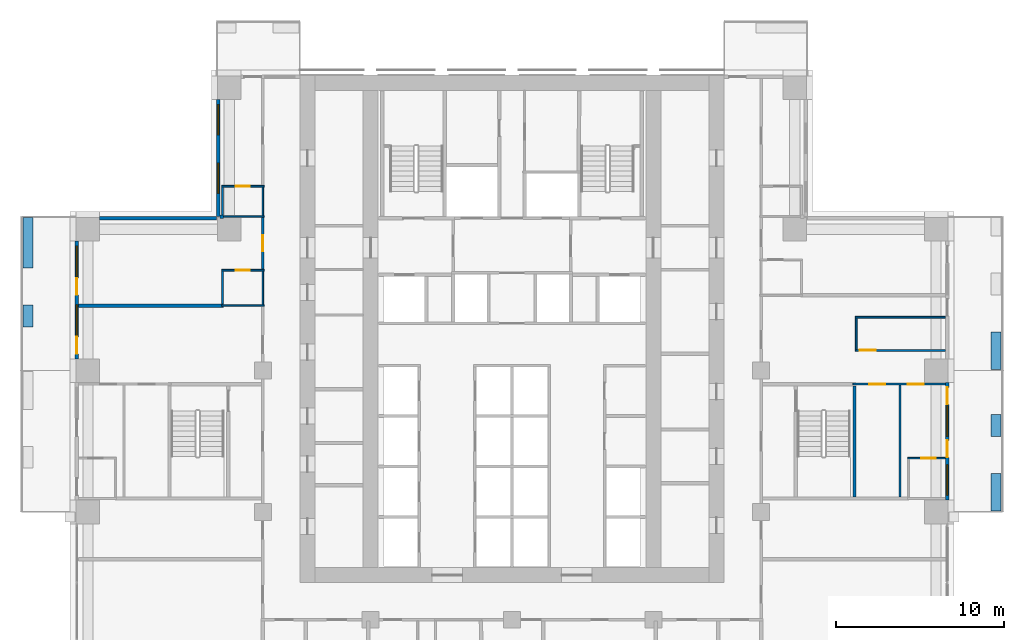
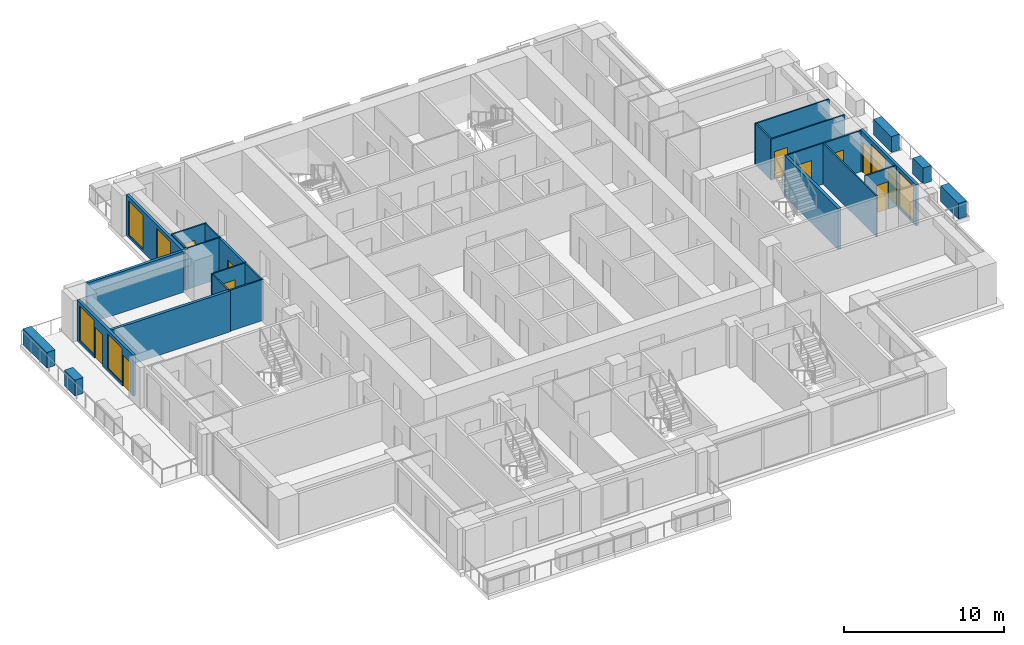
# One storey, part 10 of 17: 27 walls, 11 doors, 6 windows, 17 openings.
"""IFC4 building model written with IfcOpenShell, lengths in metres."""

from ifc_helpers import new_model, si_unit, direction, frame, frame_2d, origin, place, context, subcontext, project, spatial, rectangle, extrude, material, layer, layer_set, type_object, element, fill, save


model = new_model("IFC4")

# Units and contexts
model_context = context("Model", 3, precision=1e-05, world=origin(), true_north=direction((0.0, 1.0)))
body_context = subcontext(model_context, "Body", "Model", "MODEL_VIEW")
ifc_project = project(units=[si_unit("LENGTHUNIT", "METRE"), si_unit("AREAUNIT", "SQUARE_METRE"), si_unit("VOLUMEUNIT", "CUBIC_METRE"), si_unit("PLANEANGLEUNIT", "RADIAN"), si_unit("MASSUNIT", "GRAM", prefix="KILO")], contexts=[model_context])

# Site, building, storey
site_placement = place(None, origin())
site = spatial("IfcSite", under=ifc_project, at=site_placement, CompositionType="ELEMENT")
building_placement = place(site_placement, origin())
building = spatial("IfcBuilding", under=site, at=building_placement, Name="Vermilion Ogive Tower", CompositionType="ELEMENT")
storey_placement = place(building_placement, frame((0.0, 0.0, 58.64990234375)))
storey = spatial("IfcBuildingStorey", under=building, at=storey_placement, Name="L13", CompositionType="ELEMENT", Elevation=58.64990234375)

# Wall, opening, door
ifc_material_1 = material(Name="Gypsum board partition on steel studs", Category="steel")
ifc_layer_1 = layer(ifc_material_1, 0.10009765625)
ifc_layer_set_1 = layer_set([ifc_layer_1], Name="Partition 100 bath")
wall_type_1 = type_object("IfcWallType", Name="Partition 100 bath", PredefinedType="PARTITIONING", material=ifc_layer_set_1)
wall_1_placement = place(storey_placement, frame((23.5, -1.0, 0.0), z_axis=(0.0, 0.0, 1.0), x_axis=(1.0, 0.0, 0.0)))
wall_1 = element("IfcWall", 1, at=wall_1_placement, inside=storey, type_object=wall_type_1, Name="L13-W-W022", PredefinedType="PARTITIONING", context=body_context, shape_type="SweptSolid", body=[
    extrude(rectangle(XDim=2.25, YDim=0.10009765625, at=frame_2d((1.125, 0.0))), origin(), (0.0, 0.0, 1.0), 3.130126953125),
])
opening_1_placement = place(wall_1_placement, frame((0.824951171875, 0.0, 0.0)))
opening_1 = element("IfcOpeningElement", 2, at=opening_1_placement, cuts=wall_1, Name="Opening D1G4023", PredefinedType="OPENING", context=body_context, shape_type="SweptSolid", body=[
    extrude(rectangle(XDim=0.85009765625, YDim=2.10009765625, at=frame_2d((0.425048828125, 1.050048828125))), frame((0.0, 0.06005859375, 0.0), z_axis=(0.0, -1.0, 0.0), x_axis=(1.0, 0.0, 0.0)), (0.0, 0.0, 1.0), 0.1201171875),
])
ifc_material_2 = material(Name="Timber door leaf", Category="wood")
door_type_1 = type_object("IfcDoorType", Name="Bath door 850 x 2100 FD30", OperationType="SINGLE_SWING_LEFT", PredefinedType="DOOR", material=ifc_material_2)
door_1_placement = place(opening_1_placement, origin())
door_1 = element("IfcDoor", 3, at=door_1_placement, inside=storey, type_object=door_type_1, Name="L13-D-D023", OperationType="SINGLE_SWING_RIGHT", OverallHeight=2.10009765625, OverallWidth=0.85009765625, PredefinedType="DOOR", context=body_context, shape_type="SweptSolid", body=[
    extrude(rectangle(XDim=0.85009765625, YDim=2.10009765625, at=frame_2d((0.425048828125, 1.050048828125))), frame((0.0, 0.02490234375, 0.0), z_axis=(0.0, -1.0, 0.0), x_axis=(1.0, 0.0, 0.0)), (0.0, 0.0, 1.0), 0.050048828125),
])
fill(opening_1, door_1)

# Wall
wall_2_placement = place(storey_placement, frame((-17.25, 8.06005859375, 0.0), z_axis=(0.0, 0.0, 1.0), x_axis=(1.0, 0.0, 0.0)))
element("IfcWall", 4, at=wall_2_placement, inside=storey, type_object=wall_type_1, Name="L13-W-W030", PredefinedType="PARTITIONING", context=body_context, shape_type="SweptSolid", body=[
    extrude(rectangle(XDim=2.52490234375, YDim=0.10009765625, at=frame_2d((1.262451171875, 0.0))), origin(), (0.0, 0.0, 1.0), 3.130126953125),
])

# Wall, opening, door
wall_3_placement = place(storey_placement, frame((-17.25, 10.159912109375, 0.0), z_axis=(0.0, 0.0, 1.0), x_axis=(1.0, 0.0, 0.0)))
wall_3 = element("IfcWall", 5, at=wall_3_placement, inside=storey, type_object=wall_type_1, Name="L13-W-W033", PredefinedType="PARTITIONING", context=body_context, shape_type="SweptSolid", body=[
    extrude(rectangle(XDim=2.52490234375, YDim=0.10009765625, at=frame_2d((1.262451171875, 0.0))), origin(), (0.0, 0.0, 1.0), 3.130126953125),
])
opening_2_placement = place(wall_3_placement, frame((0.824951171875, 0.0, 0.0)))
opening_2 = element("IfcOpeningElement", 6, at=opening_2_placement, cuts=wall_3, Name="Opening D1G4009", PredefinedType="OPENING", context=body_context, shape_type="SweptSolid", body=[
    extrude(rectangle(XDim=0.85009765625, YDim=2.10009765625, at=frame_2d((0.425048828125, 1.050048828125))), frame((0.0, 0.06005859375, 0.0), z_axis=(0.0, -1.0, 0.0), x_axis=(1.0, 0.0, 0.0)), (0.0, 0.0, 1.0), 0.1201171875),
])
door_2_placement = place(opening_2_placement, origin())
door_2 = element("IfcDoor", 7, at=door_2_placement, inside=storey, type_object=door_type_1, Name="L13-D-D009", OperationType="SINGLE_SWING_RIGHT", OverallHeight=2.10009765625, OverallWidth=0.85009765625, PredefinedType="DOOR", context=body_context, shape_type="SweptSolid", body=[
    extrude(rectangle(XDim=0.85009765625, YDim=2.10009765625, at=frame_2d((0.425048828125, 1.050048828125))), frame((0.0, 0.02490234375, 0.0), z_axis=(0.0, -1.0, 0.0), x_axis=(1.0, 0.0, 0.0)), (0.0, 0.0, 1.0), 0.050048828125),
])
fill(opening_2, door_2)

# Wall
wall_4_placement = place(storey_placement, frame((-17.25, 13.35009765625, 0.0), z_axis=(0.0, 0.0, 1.0), x_axis=(1.0, 0.0, 0.0)))
element("IfcWall", 8, at=wall_4_placement, inside=storey, type_object=wall_type_1, Name="L13-W-W036", PredefinedType="PARTITIONING", context=body_context, shape_type="SweptSolid", body=[
    extrude(rectangle(XDim=2.52490234375, YDim=0.10009765625, at=frame_2d((1.262451171875, 0.0))), origin(), (0.0, 0.0, 1.0), 3.130126953125),
])

# Wall, opening, door
wall_5_placement = place(storey_placement, frame((-17.25, 15.14990234375, 0.0), z_axis=(0.0, 0.0, 1.0), x_axis=(1.0, 0.0, 0.0)))
wall_5 = element("IfcWall", 9, at=wall_5_placement, inside=storey, type_object=wall_type_1, Name="L13-W-W039", PredefinedType="PARTITIONING", context=body_context, shape_type="SweptSolid", body=[
    extrude(rectangle(XDim=2.52490234375, YDim=0.10009765625, at=frame_2d((1.262451171875, 0.0))), origin(), (0.0, 0.0, 1.0), 3.130126953125),
])
opening_3_placement = place(wall_5_placement, frame((0.824951171875, 0.0, 0.0)))
opening_3 = element("IfcOpeningElement", 10, at=opening_3_placement, cuts=wall_5, Name="Opening D1G4011", PredefinedType="OPENING", context=body_context, shape_type="SweptSolid", body=[
    extrude(rectangle(XDim=0.85009765625, YDim=2.10009765625, at=frame_2d((0.425048828125, 1.050048828125))), frame((0.0, 0.06005859375, 0.0), z_axis=(0.0, -1.0, 0.0), x_axis=(1.0, 0.0, 0.0)), (0.0, 0.0, 1.0), 0.1201171875),
])
door_3_placement = place(opening_3_placement, origin())
door_3 = element("IfcDoor", 11, at=door_3_placement, inside=storey, type_object=door_type_1, Name="L13-D-D011", OperationType="SINGLE_SWING_RIGHT", OverallHeight=2.10009765625, OverallWidth=0.85009765625, PredefinedType="DOOR", context=body_context, shape_type="SweptSolid", body=[
    extrude(rectangle(XDim=0.85009765625, YDim=2.10009765625, at=frame_2d((0.425048828125, 1.050048828125))), frame((0.0, 0.02490234375, 0.0), z_axis=(0.0, -1.0, 0.0), x_axis=(1.0, 0.0, 0.0)), (0.0, 0.0, 1.0), 0.050048828125),
])
fill(opening_3, door_3)

# Walls
wall_6_placement = place(storey_placement, frame((-17.199951171875, 8.159912109375, 0.0), z_axis=(0.0, 0.0, 1.0), x_axis=(0.0, 1.0, 0.0)))
element("IfcWall", 12, at=wall_6_placement, inside=storey, type_object=wall_type_1, Name="L13-W-W044", PredefinedType="PARTITIONING", context=body_context, shape_type="SweptSolid", body=[
    extrude(rectangle(XDim=1.9501953125, YDim=0.10009765625, at=frame_2d((0.97509765625, 0.0))), origin(), (0.0, 0.0, 1.0), 3.130126953125),
])
wall_7_placement = place(storey_placement, frame((-17.199951171875, 13.449951171875, 0.0), z_axis=(0.0, 0.0, 1.0), x_axis=(0.0, 1.0, 0.0)))
element("IfcWall", 13, at=wall_7_placement, inside=storey, type_object=wall_type_1, Name="L13-W-W045", PredefinedType="PARTITIONING", context=body_context, shape_type="SweptSolid", body=[
    extrude(rectangle(XDim=1.650146484375, YDim=0.10009765625, at=frame_2d((0.8251953125, 0.0))), origin(), (0.0, 0.0, 1.0), 3.130126953125),
])
wall_8_placement = place(storey_placement, frame((-14.800048828125, 8.110107421875, 0.0), z_axis=(0.0, 0.0, 1.0), x_axis=(0.0, 1.0, 0.0)))
element("IfcWall", 14, at=wall_8_placement, inside=storey, type_object=wall_type_1, Name="L13-W-W050", PredefinedType="PARTITIONING", context=body_context, shape_type="SweptSolid", body=[
    extrude(rectangle(XDim=2.0, YDim=0.10009765625, at=frame_2d((1.0, 0.0))), origin(), (0.0, 0.0, 1.0), 3.130126953125),
])
wall_9_placement = place(storey_placement, frame((-14.800048828125, 13.39990234375, 0.0), z_axis=(0.0, 0.0, 1.0), x_axis=(0.0, 1.0, 0.0)))
element("IfcWall", 15, at=wall_9_placement, inside=storey, type_object=wall_type_1, Name="L13-W-W052", PredefinedType="PARTITIONING", context=body_context, shape_type="SweptSolid", body=[
    extrude(rectangle(XDim=1.7001953125, YDim=0.10009765625, at=frame_2d((0.85009765625, 0.0))), origin(), (0.0, 0.0, 1.0), 3.130126953125),
])

# Wall, openings, doors
ifc_material_3 = material(Name="Gypsum board partition on steel studs", Category="steel")
ifc_layer_2 = layer(ifc_material_3, 0.10009765625)
ifc_layer_set_2 = layer_set([ifc_layer_2], Name="Partition 100 inner")
wall_type_2 = type_object("IfcWallType", Name="Partition 100 inner", PredefinedType="PARTITIONING", material=ifc_layer_set_2)
wall_10_placement = place(storey_placement, frame((20.25, 3.39990234375, 0.0), z_axis=(0.0, 0.0, 1.0), x_axis=(1.0, 0.0, 0.0)))
wall_10 = element("IfcWall", 16, at=wall_10_placement, inside=storey, type_object=wall_type_2, Name="L13-W-W026", PredefinedType="PARTITIONING", context=body_context, shape_type="SweptSolid", body=[
    extrude(rectangle(XDim=5.5, YDim=0.10009765625, at=frame_2d((2.75, 0.0))), origin(), (0.0, 0.0, 1.0), 3.130126953125),
])
opening_4_placement = place(wall_10_placement, frame((3.27490234375, 0.0, 0.0)))
opening_4 = element("IfcOpeningElement", 17, at=opening_4_placement, cuts=wall_10, Name="Opening D1G4019", PredefinedType="OPENING", context=body_context, shape_type="SweptSolid", body=[
    extrude(rectangle(XDim=0.949951171875, YDim=2.10009765625, at=frame_2d((0.47509765625, 1.050048828125))), frame((0.0, 0.06005859375, 0.0), z_axis=(0.0, -1.0, 0.0), x_axis=(1.0, 0.0, 0.0)), (0.0, 0.0, 1.0), 0.1201171875),
])
opening_5_placement = place(wall_10_placement, frame((0.97509765625, 0.0, 0.0)))
opening_5 = element("IfcOpeningElement", 18, at=opening_5_placement, cuts=wall_10, Name="Opening D1G4022", PredefinedType="OPENING", context=body_context, shape_type="SweptSolid", body=[
    extrude(rectangle(XDim=0.949951171875, YDim=2.10009765625, at=frame_2d((0.47509765625, 1.050048828125))), frame((0.0, 0.06005859375, 0.0), z_axis=(0.0, -1.0, 0.0), x_axis=(1.0, 0.0, 0.0)), (0.0, 0.0, 1.0), 0.1201171875),
])
ifc_material_4 = material(Name="Timber door leaf", Category="wood")
door_type_2 = type_object("IfcDoorType", Name="Inner door 950 x 2100 FD30", OperationType="SINGLE_SWING_LEFT", PredefinedType="DOOR", material=ifc_material_4)
door_4_placement = place(opening_4_placement, origin())
door_4 = element("IfcDoor", 19, at=door_4_placement, inside=storey, type_object=door_type_2, Name="L13-D-D019", OperationType="SINGLE_SWING_RIGHT", OverallHeight=2.10009765625, OverallWidth=0.949951171875, PredefinedType="DOOR", context=body_context, shape_type="SweptSolid", body=[
    extrude(rectangle(XDim=0.949951171875, YDim=2.10009765625, at=frame_2d((0.47509765625, 1.050048828125))), frame((0.0, 0.02490234375, 0.0), z_axis=(0.0, -1.0, 0.0), x_axis=(1.0, 0.0, 0.0)), (0.0, 0.0, 1.0), 0.050048828125),
])
fill(opening_4, door_4)
door_5_placement = place(opening_5_placement, origin())
door_5 = element("IfcDoor", 20, at=door_5_placement, inside=storey, type_object=door_type_2, Name="L13-D-D022", OperationType="SINGLE_SWING_RIGHT", OverallHeight=2.10009765625, OverallWidth=0.949951171875, PredefinedType="DOOR", context=body_context, shape_type="SweptSolid", body=[
    extrude(rectangle(XDim=0.949951171875, YDim=2.10009765625, at=frame_2d((0.47509765625, 1.050048828125))), frame((0.0, 0.02490234375, 0.0), z_axis=(0.0, -1.0, 0.0), x_axis=(1.0, 0.0, 0.0)), (0.0, 0.0, 1.0), 0.050048828125),
])
fill(opening_5, door_5)

# Wall, opening, door
wall_11_placement = place(storey_placement, frame((20.39990234375, 5.39990234375, 0.0), z_axis=(0.0, 0.0, 1.0), x_axis=(1.0, 0.0, 0.0)))
wall_11 = element("IfcWall", 21, at=wall_11_placement, inside=storey, type_object=wall_type_2, Name="L13-W-W027", PredefinedType="PARTITIONING", context=body_context, shape_type="SweptSolid", body=[
    extrude(rectangle(XDim=5.35009765625, YDim=0.10009765625, at=frame_2d((2.675048828125, 0.0))), origin(), (0.0, 0.0, 1.0), 3.130126953125),
])
opening_6_placement = place(wall_11_placement, frame((0.25, 0.0, 0.0)))
opening_6 = element("IfcOpeningElement", 22, at=opening_6_placement, cuts=wall_11, Name="Opening D1G4020", PredefinedType="OPENING", context=body_context, shape_type="SweptSolid", body=[
    extrude(rectangle(XDim=0.949951171875, YDim=2.10009765625, at=frame_2d((0.47509765625, 1.050048828125))), frame((0.0, 0.06005859375, 0.0), z_axis=(0.0, -1.0, 0.0), x_axis=(1.0, 0.0, 0.0)), (0.0, 0.0, 1.0), 0.1201171875),
])
door_6_placement = place(opening_6_placement, origin())
door_6 = element("IfcDoor", 23, at=door_6_placement, inside=storey, type_object=door_type_2, Name="L13-D-D020", OperationType="SINGLE_SWING_LEFT", OverallHeight=2.10009765625, OverallWidth=0.949951171875, PredefinedType="DOOR", context=body_context, shape_type="SweptSolid", body=[
    extrude(rectangle(XDim=0.949951171875, YDim=2.10009765625, at=frame_2d((0.47509765625, 1.050048828125))), frame((0.0, 0.02490234375, 0.0), z_axis=(0.0, -1.0, 0.0), x_axis=(1.0, 0.0, 0.0)), (0.0, 0.0, 1.0), 0.050048828125),
])
fill(opening_6, door_6)

# Walls
wall_12_placement = place(storey_placement, frame((20.39990234375, 7.367919921875, 0.0), z_axis=(0.0, 0.0, 1.0), x_axis=(1.0, 0.0, 0.0)))
element("IfcWall", 24, at=wall_12_placement, inside=storey, type_object=wall_type_2, Name="L13-W-W028", PredefinedType="PARTITIONING", context=body_context, shape_type="SweptSolid", body=[
    extrude(rectangle(XDim=5.35009765625, YDim=0.10009765625, at=frame_2d((2.675048828125, 0.0))), origin(), (0.0, 0.0, 1.0), 3.130126953125),
])
wall_13_placement = place(storey_placement, frame((20.449951171875, 5.449951171875, 0.0), z_axis=(0.0, 0.0, 1.0), x_axis=(0.0, 1.0, 0.0)))
element("IfcWall", 25, at=wall_13_placement, inside=storey, type_object=wall_type_2, Name="L13-W-W080", PredefinedType="PARTITIONING", context=body_context, shape_type="SweptSolid", body=[
    extrude(rectangle(XDim=1.8681640625, YDim=0.10009765625, at=frame_2d((0.93408203125, 0.0))), origin(), (0.0, 0.0, 1.0), 3.130126953125),
])
wall_14_placement = place(storey_placement, frame((23.050048828125, -3.300048828125, 0.0), z_axis=(0.0, 0.0, 1.0), x_axis=(0.0, 1.0, 0.0)))
element("IfcWall", 26, at=wall_14_placement, inside=storey, type_object=wall_type_2, Name="L13-W-W081", PredefinedType="PARTITIONING", context=body_context, shape_type="SweptSolid", body=[
    extrude(rectangle(XDim=6.650146484375, YDim=0.10009765625, at=frame_2d((3.3251953125, 0.0))), origin(), (0.0, 0.0, 1.0), 3.130126953125),
])

# Wall, opening, door
ifc_material_5 = material(Name="Gypsum board partition on steel studs", Category="steel")
ifc_layer_3 = layer(ifc_material_5, 0.14990234375)
ifc_layer_set_3 = layer_set([ifc_layer_3], Name="Partition 150 corridor")
wall_type_3 = type_object("IfcWallType", Name="Partition 150 corridor", PredefinedType="PARTITIONING", material=ifc_layer_set_3)
wall_15_placement = place(storey_placement, frame((-14.800048828125, 10.2099609375, 0.0), z_axis=(0.0, 0.0, 1.0), x_axis=(0.0, 1.0, 0.0)))
wall_15 = element("IfcWall", 27, at=wall_15_placement, inside=storey, type_object=wall_type_3, Name="L13-W-W051", PredefinedType="PARTITIONING", context=body_context, shape_type="SweptSolid", body=[
    extrude(rectangle(XDim=3.090087890625, YDim=0.14990234375, at=frame_2d((1.544921875, 0.0))), origin(), (0.0, 0.0, 1.0), 3.130126953125),
])
opening_7_placement = place(wall_15_placement, frame((1.070068359375, 0.0, 0.0)))
opening_7 = element("IfcOpeningElement", 28, at=opening_7_placement, cuts=wall_15, Name="Opening D1G4008", PredefinedType="OPENING", context=body_context, shape_type="SweptSolid", body=[
    extrude(rectangle(XDim=0.949951171875, YDim=2.10009765625, at=frame_2d((0.47509765625, 1.050048828125))), frame((0.0, 0.0849609375, 0.0), z_axis=(0.0, -1.0, 0.0), x_axis=(1.0, 0.0, 0.0)), (0.0, 0.0, 1.0), 0.169921875),
])
ifc_material_6 = material(Name="Timber door leaf", Category="wood")
door_type_3 = type_object("IfcDoorType", Name="Unit door 950 x 2100 FD30S", OperationType="SINGLE_SWING_LEFT", PredefinedType="DOOR", material=ifc_material_6)
door_7_placement = place(opening_7_placement, origin())
door_7 = element("IfcDoor", 29, at=door_7_placement, inside=storey, type_object=door_type_3, Name="L13-D-D008", OperationType="SINGLE_SWING_LEFT", OverallHeight=2.10009765625, OverallWidth=0.949951171875, PredefinedType="DOOR", context=body_context, shape_type="SweptSolid", body=[
    extrude(rectangle(XDim=0.949951171875, YDim=2.10009765625, at=frame_2d((0.47509765625, 1.050048828125))), frame((0.0, 0.02490234375, 0.0), z_axis=(0.0, -1.0, 0.0), x_axis=(1.0, 0.0, 0.0)), (0.0, 0.0, 1.0), 0.050048828125),
])
fill(opening_7, door_7)

# Walls
ifc_material_7 = material(Name="Gypsum board partition on steel studs", Category="steel")
ifc_layer_4 = layer(ifc_material_7, 0.199951171875)
ifc_layer_set_4 = layer_set([ifc_layer_4], Name="Partition 200 party")
wall_type_4 = type_object("IfcWallType", Name="Partition 200 party", PredefinedType="PARTITIONING", material=ifc_layer_set_4)
wall_16_placement = place(storey_placement, frame((-25.75, 8.06005859375, 0.0), z_axis=(0.0, 0.0, 1.0), x_axis=(1.0, 0.0, 0.0)))
element("IfcWall", 30, at=wall_16_placement, inside=storey, type_object=wall_type_4, Name="L13-W-W029", PredefinedType="PARTITIONING", context=body_context, shape_type="SweptSolid", body=[
    extrude(rectangle(XDim=8.60009765625, YDim=0.199951171875, at=frame_2d((4.300048828125, 0.0))), origin(), (0.0, 0.0, 1.0), 3.130126953125),
])
wall_17_placement = place(storey_placement, frame((-17.35009765625, 13.35009765625, 0.0), z_axis=(0.0, 0.0, 1.0), x_axis=(1.0, 0.0, 0.0)))
element("IfcWall", 31, at=wall_17_placement, inside=storey, type_object=wall_type_4, Name="L13-W-W035", PredefinedType="PARTITIONING", context=body_context, shape_type="SweptSolid", body=[
    extrude(rectangle(XDim=0.2001953125, YDim=0.199951171875, at=frame_2d((0.10009765625, 0.0))), origin(), (0.0, 0.0, 1.0), 3.130126953125),
])
ifc_material_8 = material(Name="Concrete B60", Category="concrete")
ifc_layer_5 = layer(ifc_material_8, 0.199951171875)
ifc_layer_set_5 = layer_set([ifc_layer_5], Name="Stair shaft wall 200 Concrete B60")
wall_type_5 = type_object("IfcWallType", Name="Stair shaft wall 200 Concrete B60", PredefinedType="SOLIDWALL", material=ifc_layer_set_5)
wall_18_placement = place(storey_placement, frame((20.35009765625, -3.300048828125, 0.0), z_axis=(0.0, 0.0, 1.0), x_axis=(0.0, 1.0, 0.0)))
element("IfcWall", 32, at=wall_18_placement, inside=storey, type_object=wall_type_5, Name="L13-W-W079-A-A", PredefinedType="SOLIDWALL", context=body_context, shape_type="SweptSolid", body=[
    extrude(rectangle(XDim=6.60009765625, YDim=0.199951171875, at=frame_2d((3.300048828125, 0.0))), origin(), (0.0, 0.0, 1.0), 3.130126953125),
])
ifc_material_9 = material(Name="Concrete B40", Category="concrete")
ifc_layer_6 = layer(ifc_material_9, 0.60009765625)
ifc_layer_set_6 = layer_set([ifc_layer_6], Name="Structural planter")
wall_type_6 = type_object("IfcWallType", Name="Structural planter", PredefinedType="USERDEFINED", material=ifc_layer_set_6)
wall_19_placement = place(storey_placement, frame((28.75, -4.139892578125, -0.039794921875), z_axis=(0.0, 0.0, 1.0), x_axis=(0.0, 1.0, 0.0)))
element("IfcWall", 33, at=wall_19_placement, inside=storey, type_object=wall_type_6, Name="Planter E02A1", ObjectType="PLANTER", PredefinedType="USERDEFINED", context=body_context, shape_type="SweptSolid", body=[
    extrude(rectangle(XDim=2.239990234375, YDim=0.60009765625, at=frame_2d((1.1201171875, 0.0))), origin(), (0.0, 0.0, 1.0), 1.199951171875),
])
wall_20_placement = place(storey_placement, frame((28.75, 0.300048828125, -0.039794921875), z_axis=(0.0, 0.0, 1.0), x_axis=(0.0, 1.0, 0.0)))
element("IfcWall", 34, at=wall_20_placement, inside=storey, type_object=wall_type_6, Name="Planter E02A2", ObjectType="PLANTER", PredefinedType="USERDEFINED", context=body_context, shape_type="SweptSolid", body=[
    extrude(rectangle(XDim=1.300048828125, YDim=0.60009765625, at=frame_2d((0.64990234375, 0.0))), origin(), (0.0, 0.0, 1.0), 1.199951171875),
])
wall_21_placement = place(storey_placement, frame((28.75, 4.260009765625, -0.039794921875), z_axis=(0.0, 0.0, 1.0), x_axis=(0.0, 1.0, 0.0)))
element("IfcWall", 35, at=wall_21_placement, inside=storey, type_object=wall_type_6, Name="Planter E03A1", ObjectType="PLANTER", PredefinedType="USERDEFINED", context=body_context, shape_type="SweptSolid", body=[
    extrude(rectangle(XDim=2.239990234375, YDim=0.60009765625, at=frame_2d((1.1201171875, 0.0))), origin(), (0.0, 0.0, 1.0), 1.199951171875),
])
wall_22_placement = place(storey_placement, frame((-28.75, 13.2900390625, -0.039794921875), z_axis=(0.0, 0.0, 1.0), x_axis=(0.0, -1.0, 0.0)))
element("IfcWall", 36, at=wall_22_placement, inside=storey, type_object=wall_type_6, Name="Planter W01A1", ObjectType="PLANTER", PredefinedType="USERDEFINED", context=body_context, shape_type="SweptSolid", body=[
    extrude(rectangle(XDim=2.989990234375, YDim=0.60009765625, at=frame_2d((1.4951171875, 0.0))), origin(), (0.0, 0.0, 1.0), 1.199951171875),
])
wall_23_placement = place(storey_placement, frame((-28.75, 8.10009765625, -0.039794921875), z_axis=(0.0, 0.0, 1.0), x_axis=(0.0, -1.0, 0.0)))
element("IfcWall", 37, at=wall_23_placement, inside=storey, type_object=wall_type_6, Name="Planter W01A2", ObjectType="PLANTER", PredefinedType="USERDEFINED", context=body_context, shape_type="SweptSolid", body=[
    extrude(rectangle(XDim=1.300048828125, YDim=0.60009765625, at=frame_2d((0.64990234375, 0.0))), origin(), (0.0, 0.0, 1.0), 1.199951171875),
])

# Wall, openings, doors, windows
ifc_material_10 = material(Name="Aluminium window wall framing", Category="aluminium")
ifc_layer_7 = layer(ifc_material_10, 0.199951171875)
ifc_layer_set_7 = layer_set([ifc_layer_7], Name="Window wall")
wall_type_7 = type_object("IfcWallType", Name="Window wall", PredefinedType="STANDARD", material=ifc_layer_set_7)
wall_24_placement = place(storey_placement, frame((25.85009765625, -3.5, 0.0), z_axis=(0.0, 0.0, 1.0), x_axis=(0.0, 1.0, 0.0)))
wall_24 = element("IfcWall", 38, at=wall_24_placement, inside=storey, type_object=wall_type_7, Name="Window wall E2", PredefinedType="STANDARD", context=body_context, shape_type="SweptSolid", body=[
    extrude(rectangle(XDim=7.0, YDim=0.199951171875, at=frame_2d((3.5, 0.0))), origin(), (0.0, 0.0, 1.0), 3.130126953125),
])
opening_8_placement = place(wall_24_placement, frame((0.300048828125, 0.0, 0.199951171875)))
opening_8 = element("IfcOpeningElement", 39, at=opening_8_placement, cuts=wall_24, Name="Opening W1-E99", PredefinedType="OPENING", context=body_context, shape_type="SweptSolid", body=[
    extrude(rectangle(XDim=1.800048828125, YDim=2.64990234375, at=frame_2d((0.89990234375, 1.324951171875))), frame((0.0, 0.10986328125, 0.0), z_axis=(0.0, -1.0, 0.0), x_axis=(1.0, 0.0, 0.0)), (0.0, 0.0, 1.0), 0.219970703125),
])
opening_9_placement = place(wall_24_placement, frame((2.550048828125, 0.0, 0.0)))
opening_9 = element("IfcOpeningElement", 40, at=opening_9_placement, cuts=wall_24, Name="Opening D1-E99", PredefinedType="OPENING", context=body_context, shape_type="SweptSolid", body=[
    extrude(rectangle(XDim=1.0, YDim=2.39990234375, at=frame_2d((0.5, 1.199951171875))), frame((0.0, 0.10986328125, 0.0), z_axis=(0.0, -1.0, 0.0), x_axis=(1.0, 0.0, 0.0)), (0.0, 0.0, 1.0), 0.219970703125),
])
opening_10_placement = place(wall_24_placement, frame((3.800048828125, 0.0, 0.199951171875)))
opening_10 = element("IfcOpeningElement", 41, at=opening_10_placement, cuts=wall_24, Name="Opening W1-E00", PredefinedType="OPENING", context=body_context, shape_type="SweptSolid", body=[
    extrude(rectangle(XDim=1.800048828125, YDim=2.64990234375, at=frame_2d((0.89990234375, 1.324951171875))), frame((0.0, 0.10986328125, 0.0), z_axis=(0.0, -1.0, 0.0), x_axis=(1.0, 0.0, 0.0)), (0.0, 0.0, 1.0), 0.219970703125),
])
opening_11_placement = place(wall_24_placement, frame((5.699951171875, 0.0, 0.0)))
opening_11 = element("IfcOpeningElement", 42, at=opening_11_placement, cuts=wall_24, Name="Opening D1-E00", PredefinedType="OPENING", context=body_context, shape_type="SweptSolid", body=[
    extrude(rectangle(XDim=1.0, YDim=2.39990234375, at=frame_2d((0.5, 1.199951171875))), frame((0.0, 0.10986328125, 0.0), z_axis=(0.0, -1.0, 0.0), x_axis=(1.0, 0.0, 0.0)), (0.0, 0.0, 1.0), 0.219970703125),
])
ifc_material_11 = material(Name="Aluminium framed glazed door", Category="aluminium")
door_type_4 = type_object("IfcDoorType", Name="Balcony door D1", OperationType="SINGLE_SWING_LEFT", PredefinedType="DOOR", material=ifc_material_11)
door_8_placement = place(opening_9_placement, origin())
door_8 = element("IfcDoor", 43, at=door_8_placement, inside=storey, type_object=door_type_4, Name="Balcony door E99", OperationType="SINGLE_SWING_LEFT", OverallHeight=2.39990234375, OverallWidth=1.0, PredefinedType="DOOR", context=body_context, shape_type="SweptSolid", body=[
    extrude(rectangle(XDim=1.0, YDim=2.39990234375, at=frame_2d((0.5, 1.199951171875))), frame((0.0, 0.02490234375, 0.0), z_axis=(0.0, -1.0, 0.0), x_axis=(1.0, 0.0, 0.0)), (0.0, 0.0, 1.0), 0.050048828125),
])
fill(opening_9, door_8)
door_9_placement = place(opening_11_placement, origin())
door_9 = element("IfcDoor", 44, at=door_9_placement, inside=storey, type_object=door_type_4, Name="Balcony door E00", OperationType="SINGLE_SWING_LEFT", OverallHeight=2.39990234375, OverallWidth=1.0, PredefinedType="DOOR", context=body_context, shape_type="SweptSolid", body=[
    extrude(rectangle(XDim=1.0, YDim=2.39990234375, at=frame_2d((0.5, 1.199951171875))), frame((0.0, 0.02490234375, 0.0), z_axis=(0.0, -1.0, 0.0), x_axis=(1.0, 0.0, 0.0)), (0.0, 0.0, 1.0), 0.050048828125),
])
fill(opening_11, door_9)
ifc_material_12 = material(Name="Aluminium framed double glazing", Category="aluminium")
window_type = type_object("IfcWindowType", Name="Guest window W1", PartitioningType="SINGLE_PANEL", PredefinedType="WINDOW", material=ifc_material_12)
window_1_placement = place(opening_8_placement, origin())
window_1 = element("IfcWindow", 45, at=window_1_placement, inside=storey, type_object=window_type, Name="Window E99", OverallHeight=2.64990234375, OverallWidth=1.800048828125, PartitioningType="SINGLE_PANEL", PredefinedType="WINDOW", context=body_context, shape_type="SweptSolid", body=[
    extrude(rectangle(XDim=1.800048828125, YDim=2.64990234375, at=frame_2d((0.89990234375, 1.324951171875))), frame((0.0, 0.030029296875, 0.0), z_axis=(0.0, -1.0, 0.0), x_axis=(1.0, 0.0, 0.0)), (0.0, 0.0, 1.0), 0.06005859375),
])
fill(opening_8, window_1)
window_2_placement = place(opening_10_placement, origin())
window_2 = element("IfcWindow", 46, at=window_2_placement, inside=storey, type_object=window_type, Name="Window E00", OverallHeight=2.64990234375, OverallWidth=1.800048828125, PartitioningType="SINGLE_PANEL", PredefinedType="WINDOW", context=body_context, shape_type="SweptSolid", body=[
    extrude(rectangle(XDim=1.800048828125, YDim=2.64990234375, at=frame_2d((0.89990234375, 1.324951171875))), frame((0.0, 0.030029296875, 0.0), z_axis=(0.0, -1.0, 0.0), x_axis=(1.0, 0.0, 0.0)), (0.0, 0.0, 1.0), 0.06005859375),
])
fill(opening_10, window_2)

# Wall, openings, windows
wall_25_placement = place(storey_placement, frame((-17.449951171875, 20.300048828125, 0.0), z_axis=(0.0, 0.0, 1.0), x_axis=(0.0, -1.0, 0.0)))
wall_25 = element("IfcWall", 47, at=wall_25_placement, inside=storey, type_object=wall_type_7, Name="Window wall X51", PredefinedType="STANDARD", context=body_context, shape_type="SweptSolid", body=[
    extrude(rectangle(XDim=6.949951171875, YDim=0.199951171875, at=frame_2d((3.47509765625, 0.0))), origin(), (0.0, 0.0, 1.0), 3.130126953125),
])
opening_12_placement = place(wall_25_placement, frame((3.77490234375, 0.0, 0.199951171875)))
opening_12 = element("IfcOpeningElement", 48, at=opening_12_placement, cuts=wall_25, Name="Opening W1-X503", PredefinedType="OPENING", context=body_context, shape_type="SweptSolid", body=[
    extrude(rectangle(XDim=1.800048828125, YDim=2.64990234375, at=frame_2d((0.89990234375, 1.324951171875))), frame((0.0, 0.10986328125, 0.0), z_axis=(0.0, -1.0, 0.0), x_axis=(1.0, 0.0, 0.0)), (0.0, 0.0, 1.0), 0.219970703125),
])
opening_13_placement = place(wall_25_placement, frame((0.300048828125, 0.0, 0.199951171875)))
opening_13 = element("IfcOpeningElement", 49, at=opening_13_placement, cuts=wall_25, Name="Opening W1-X504", PredefinedType="OPENING", context=body_context, shape_type="SweptSolid", body=[
    extrude(rectangle(XDim=1.800048828125, YDim=2.64990234375, at=frame_2d((0.89990234375, 1.324951171875))), frame((0.0, 0.10986328125, 0.0), z_axis=(0.0, -1.0, 0.0), x_axis=(1.0, 0.0, 0.0)), (0.0, 0.0, 1.0), 0.219970703125),
])
window_3_placement = place(opening_12_placement, origin())
window_3 = element("IfcWindow", 50, at=window_3_placement, inside=storey, type_object=window_type, Name="Window X503", OverallHeight=2.64990234375, OverallWidth=1.800048828125, PartitioningType="SINGLE_PANEL", PredefinedType="WINDOW", context=body_context, shape_type="SweptSolid", body=[
    extrude(rectangle(XDim=1.800048828125, YDim=2.64990234375, at=frame_2d((0.89990234375, 1.324951171875))), frame((0.0, 0.030029296875, 0.0), z_axis=(0.0, -1.0, 0.0), x_axis=(1.0, 0.0, 0.0)), (0.0, 0.0, 1.0), 0.06005859375),
])
fill(opening_12, window_3)
window_4_placement = place(opening_13_placement, origin())
window_4 = element("IfcWindow", 51, at=window_4_placement, inside=storey, type_object=window_type, Name="Window X504", OverallHeight=2.64990234375, OverallWidth=1.800048828125, PartitioningType="SINGLE_PANEL", PredefinedType="WINDOW", context=body_context, shape_type="SweptSolid", body=[
    extrude(rectangle(XDim=1.800048828125, YDim=2.64990234375, at=frame_2d((0.89990234375, 1.324951171875))), frame((0.0, 0.030029296875, 0.0), z_axis=(0.0, -1.0, 0.0), x_axis=(1.0, 0.0, 0.0)), (0.0, 0.0, 1.0), 0.06005859375),
])
fill(opening_13, window_4)

# Wall
wall_26_placement = place(storey_placement, frame((-17.550048828125, 13.25, 0.0), z_axis=(0.0, 0.0, 1.0), x_axis=(-1.0, 0.0, 0.0)))
element("IfcWall", 52, at=wall_26_placement, inside=storey, type_object=wall_type_7, Name="Window wall X61", PredefinedType="STANDARD", context=body_context, shape_type="SweptSolid", body=[
    extrude(rectangle(XDim=6.949951171875, YDim=0.199951171875, at=frame_2d((3.47509765625, 0.0))), origin(), (0.0, 0.0, 1.0), 3.130126953125),
])

# Wall, openings, doors, windows
wall_27_placement = place(storey_placement, frame((-25.85009765625, 11.89990234375, 0.0), z_axis=(0.0, 0.0, 1.0), x_axis=(0.0, -1.0, 0.0)))
wall_27 = element("IfcWall", 53, at=wall_27_placement, inside=storey, type_object=wall_type_7, Name="Window wall W1", PredefinedType="STANDARD", context=body_context, shape_type="SweptSolid", body=[
    extrude(rectangle(XDim=7.0, YDim=0.199951171875, at=frame_2d((3.5, 0.0))), origin(), (0.0, 0.0, 1.0), 3.130126953125),
])
opening_14_placement = place(wall_27_placement, frame((3.800048828125, 0.0, 0.199951171875)))
opening_14 = element("IfcOpeningElement", 54, at=opening_14_placement, cuts=wall_27, Name="Opening W1-W01", PredefinedType="OPENING", context=body_context, shape_type="SweptSolid", body=[
    extrude(rectangle(XDim=1.800048828125, YDim=2.64990234375, at=frame_2d((0.89990234375, 1.324951171875))), frame((0.0, 0.10986328125, 0.0), z_axis=(0.0, -1.0, 0.0), x_axis=(1.0, 0.0, 0.0)), (0.0, 0.0, 1.0), 0.219970703125),
])
opening_15_placement = place(wall_27_placement, frame((5.699951171875, 0.0, 0.0)))
opening_15 = element("IfcOpeningElement", 55, at=opening_15_placement, cuts=wall_27, Name="Opening D1-W01", PredefinedType="OPENING", context=body_context, shape_type="SweptSolid", body=[
    extrude(rectangle(XDim=1.0, YDim=2.39990234375, at=frame_2d((0.5, 1.199951171875))), frame((0.0, 0.10986328125, 0.0), z_axis=(0.0, -1.0, 0.0), x_axis=(1.0, 0.0, 0.0)), (0.0, 0.0, 1.0), 0.219970703125),
])
opening_16_placement = place(wall_27_placement, frame((0.300048828125, 0.0, 0.199951171875)))
opening_16 = element("IfcOpeningElement", 56, at=opening_16_placement, cuts=wall_27, Name="Opening W1-W02", PredefinedType="OPENING", context=body_context, shape_type="SweptSolid", body=[
    extrude(rectangle(XDim=1.800048828125, YDim=2.64990234375, at=frame_2d((0.89990234375, 1.324951171875))), frame((0.0, 0.10986328125, 0.0), z_axis=(0.0, -1.0, 0.0), x_axis=(1.0, 0.0, 0.0)), (0.0, 0.0, 1.0), 0.219970703125),
])
opening_17_placement = place(wall_27_placement, frame((2.199951171875, 0.0, 0.0)))
opening_17 = element("IfcOpeningElement", 57, at=opening_17_placement, cuts=wall_27, Name="Opening D1-W02", PredefinedType="OPENING", context=body_context, shape_type="SweptSolid", body=[
    extrude(rectangle(XDim=1.0, YDim=2.39990234375, at=frame_2d((0.5, 1.199951171875))), frame((0.0, 0.10986328125, 0.0), z_axis=(0.0, -1.0, 0.0), x_axis=(1.0, 0.0, 0.0)), (0.0, 0.0, 1.0), 0.219970703125),
])
door_10_placement = place(opening_15_placement, origin())
door_10 = element("IfcDoor", 58, at=door_10_placement, inside=storey, type_object=door_type_4, Name="Balcony door W01", OperationType="SINGLE_SWING_LEFT", OverallHeight=2.39990234375, OverallWidth=1.0, PredefinedType="DOOR", context=body_context, shape_type="SweptSolid", body=[
    extrude(rectangle(XDim=1.0, YDim=2.39990234375, at=frame_2d((0.5, 1.199951171875))), frame((0.0, 0.02490234375, 0.0), z_axis=(0.0, -1.0, 0.0), x_axis=(1.0, 0.0, 0.0)), (0.0, 0.0, 1.0), 0.050048828125),
])
fill(opening_15, door_10)
door_11_placement = place(opening_17_placement, origin())
door_11 = element("IfcDoor", 59, at=door_11_placement, inside=storey, type_object=door_type_4, Name="Balcony door W02", OperationType="SINGLE_SWING_LEFT", OverallHeight=2.39990234375, OverallWidth=1.0, PredefinedType="DOOR", context=body_context, shape_type="SweptSolid", body=[
    extrude(rectangle(XDim=1.0, YDim=2.39990234375, at=frame_2d((0.5, 1.199951171875))), frame((0.0, 0.02490234375, 0.0), z_axis=(0.0, -1.0, 0.0), x_axis=(1.0, 0.0, 0.0)), (0.0, 0.0, 1.0), 0.050048828125),
])
fill(opening_17, door_11)
window_5_placement = place(opening_14_placement, origin())
window_5 = element("IfcWindow", 60, at=window_5_placement, inside=storey, type_object=window_type, Name="Window W01", OverallHeight=2.64990234375, OverallWidth=1.800048828125, PartitioningType="SINGLE_PANEL", PredefinedType="WINDOW", context=body_context, shape_type="SweptSolid", body=[
    extrude(rectangle(XDim=1.800048828125, YDim=2.64990234375, at=frame_2d((0.89990234375, 1.324951171875))), frame((0.0, 0.030029296875, 0.0), z_axis=(0.0, -1.0, 0.0), x_axis=(1.0, 0.0, 0.0)), (0.0, 0.0, 1.0), 0.06005859375),
])
fill(opening_14, window_5)
window_6_placement = place(opening_16_placement, origin())
window_6 = element("IfcWindow", 61, at=window_6_placement, inside=storey, type_object=window_type, Name="Window W02", OverallHeight=2.64990234375, OverallWidth=1.800048828125, PartitioningType="SINGLE_PANEL", PredefinedType="WINDOW", context=body_context, shape_type="SweptSolid", body=[
    extrude(rectangle(XDim=1.800048828125, YDim=2.64990234375, at=frame_2d((0.89990234375, 1.324951171875))), frame((0.0, 0.030029296875, 0.0), z_axis=(0.0, -1.0, 0.0), x_axis=(1.0, 0.0, 0.0)), (0.0, 0.0, 1.0), 0.06005859375),
])
fill(opening_16, window_6)

save(model, "model.ifc")
